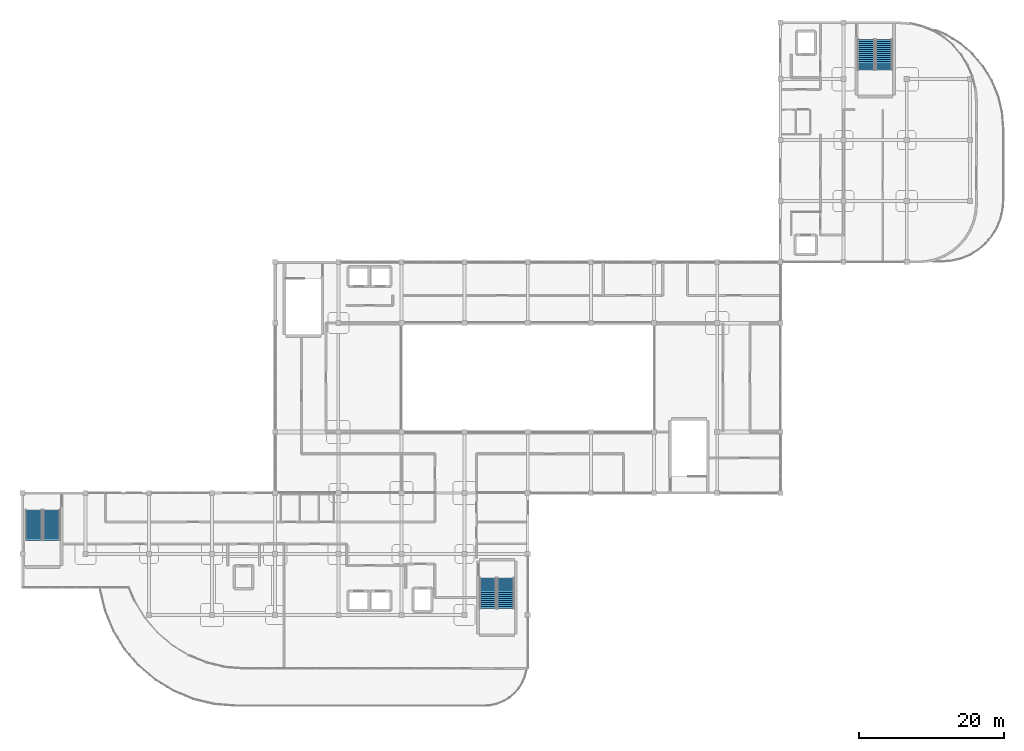
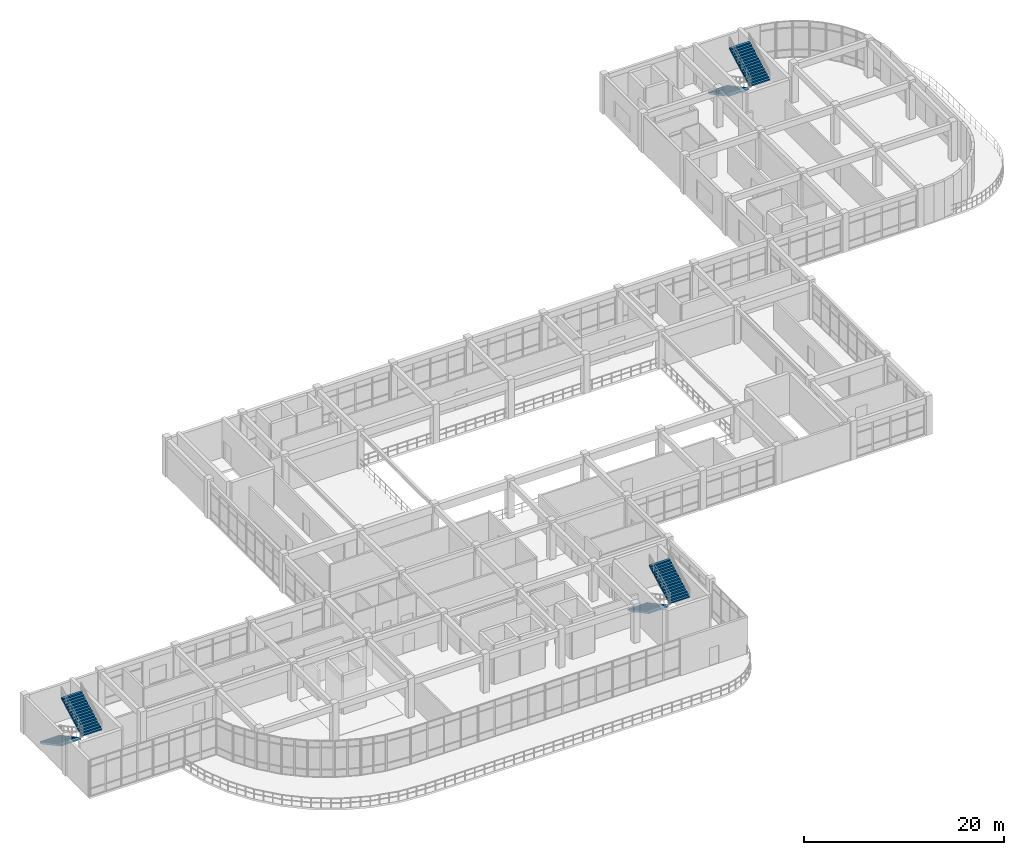
# One storey, part 59 of 64: 6 stair flights, 3 elements without a shape of their own.
"""IFC4 building model written with IfcOpenShell, lengths in metres."""

from ifc_helpers import new_model, si_unit, derived_unit, direction, frame, origin, place, context, subcontext, project, spatial, polyline, outline, extrude, material, type_object, element, aggregate, save


model = new_model("IFC4")

# Units and contexts
model_context = context("Model", 3, precision=1e-05, world=origin(), true_north=direction((0.0, 1.0)))
body_context = subcontext(model_context, "Body", "Model", "MODEL_VIEW")
ifc_project = project(units=[si_unit("LENGTHUNIT", "METRE"), si_unit("AREAUNIT", "SQUARE_METRE"), si_unit("VOLUMEUNIT", "CUBIC_METRE"), si_unit("PLANEANGLEUNIT", "RADIAN"), si_unit("MASSUNIT", "GRAM", prefix="KILO"), derived_unit("THERMALTRANSMITTANCEUNIT", [(si_unit("MASSUNIT", "GRAM", prefix="KILO"), 1), (si_unit("TIMEUNIT", "SECOND"), -3), (si_unit("THERMODYNAMICTEMPERATUREUNIT", "KELVIN"), -1)])], contexts=[model_context])

# Site, building, storey
site_placement = place(None, origin())
site = spatial("IfcSite", under=ifc_project, at=site_placement, CompositionType="ELEMENT")
building_placement = place(site_placement, origin())
building = spatial("IfcBuilding", under=site, at=building_placement, Name="Qinzheling Arcade Emporium", CompositionType="ELEMENT")
storey_placement = place(building_placement, frame((0.0, 0.0, 31.5)))
storey = spatial("IfcBuildingStorey", under=building, at=storey_placement, Name="L07", CompositionType="ELEMENT", Elevation=31.5)

# Stair, stair flights
ifc_material = material(Name="Concrete C40", Category="concrete")
stair_type = type_object("IfcStairType", Name="Cast-in-Situ Dog-Leg Escape Stair H4800", PredefinedType="HALF_TURN_STAIR", material=ifc_material)
stair_1_placement = place(storey_placement, origin())
stair_1 = element("IfcStair", 1, at=stair_1_placement, inside=storey, type_object=stair_type, Name="L07 ST01", PredefinedType="HALF_TURN_STAIR")
stair_flight_type = type_object("IfcStairFlightType", Name="Cast-in-Situ Straight Stair Flight 150x280 H4800", PredefinedType="STRAIGHT", material=ifc_material)
stair_flight_1_placement = place(storey_placement, frame((64.110107421875, 30.280029296875, 0.0), z_axis=(0.0, 0.0, 1.0), x_axis=(0.0, -1.0, 0.0)))
stair_flight_1 = element("IfcStairFlight", 2, at=stair_flight_1_placement, type_object=stair_flight_type, Name="ST01 flight 1", NumberOfRisers=16, NumberOfTreads=15, PredefinedType="STRAIGHT", RiserHeight=0.15, TreadLength=0.28, context=body_context, shape_type="SweptSolid", body=[
    extrude(outline(polyline([(0.0, 0.0), (0.0, 0.14990234375), (0.280029296875, 0.14990234375), (0.280029296875, 0.300048828125), (0.56005859375, 0.300048828125), (0.56005859375, 0.449951171875), (0.840087890625, 0.449951171875), (0.840087890625, 0.60009765625), (1.1201171875, 0.60009765625), (1.1201171875, 0.75), (1.39990234375, 0.75), (1.39990234375, 0.89990234375), (1.679931640625, 0.89990234375), (1.679931640625, 1.050048828125), (1.9599609375, 1.050048828125), (1.9599609375, 1.199951171875), (2.239990234375, 1.199951171875), (2.239990234375, 1.35009765625), (2.52001953125, 1.35009765625), (2.52001953125, 1.5), (2.800048828125, 1.5), (2.800048828125, 1.64990234375), (3.080078125, 1.64990234375), (3.080078125, 1.800048828125), (3.360107421875, 1.800048828125), (3.360107421875, 1.949951171875), (3.639892578125, 1.949951171875), (3.639892578125, 2.10009765625), (3.919921875, 2.10009765625), (3.919921875, 2.25), (4.199951171875, 2.25), (4.199951171875, 2.39990234375), (4.199951171875, 2.068603515625), (0.338623046875, 0.0), (0.0, 0.0)])), frame((0.0, 1.16015625, 0.0), z_axis=(0.0, -1.0, 0.0), x_axis=(1.0, 0.0, 0.0)), (0.0, 0.0, 1.0), 2.320068359375),
])
stair_flight_2_placement = place(storey_placement, frame((66.580078125, 26.080078125, 2.39990234375), z_axis=(0.0, 0.0, 1.0), x_axis=(0.0, 1.0, 0.0)))
stair_flight_2 = element("IfcStairFlight", 3, at=stair_flight_2_placement, type_object=stair_flight_type, Name="ST01 flight 2", NumberOfRisers=16, NumberOfTreads=15, PredefinedType="STRAIGHT", RiserHeight=0.15, TreadLength=0.28, context=body_context, shape_type="SweptSolid", body=[
    extrude(outline(polyline([(0.0, 0.0), (0.0, 0.14990234375), (0.280029296875, 0.14990234375), (0.280029296875, 0.300048828125), (0.56005859375, 0.300048828125), (0.56005859375, 0.449951171875), (0.840087890625, 0.449951171875), (0.840087890625, 0.60009765625), (1.1201171875, 0.60009765625), (1.1201171875, 0.75), (1.39990234375, 0.75), (1.39990234375, 0.89990234375), (1.679931640625, 0.89990234375), (1.679931640625, 1.050048828125), (1.9599609375, 1.050048828125), (1.9599609375, 1.199951171875), (2.239990234375, 1.199951171875), (2.239990234375, 1.35009765625), (2.52001953125, 1.35009765625), (2.52001953125, 1.5), (2.800048828125, 1.5), (2.800048828125, 1.64990234375), (3.080078125, 1.64990234375), (3.080078125, 1.800048828125), (3.360107421875, 1.800048828125), (3.360107421875, 1.949951171875), (3.639892578125, 1.949951171875), (3.639892578125, 2.10009765625), (3.919921875, 2.10009765625), (3.919921875, 2.25), (4.199951171875, 2.25), (4.199951171875, 2.39990234375), (4.199951171875, 2.068603515625), (0.338623046875, 0.0), (0.0, 0.0)])), frame((0.0, 1.16015625, 0.0), z_axis=(0.0, -1.0, 0.0), x_axis=(1.0, 0.0, 0.0)), (0.0, 0.0, 1.0), 2.320068359375),
])
aggregate(stair_1, [stair_flight_1, stair_flight_2])

stair_2_placement = place(storey_placement, origin())
stair_2 = element("IfcStair", 4, at=stair_2_placement, inside=storey, type_object=stair_type, Name="L07 ST02", PredefinedType="HALF_TURN_STAIR")
stair_flight_3_placement = place(storey_placement, frame((1.56005859375, 39.679931640625, 0.0), z_axis=(0.0, 0.0, 1.0), x_axis=(0.0, -1.0, 0.0)))
stair_flight_3 = element("IfcStairFlight", 5, at=stair_flight_3_placement, type_object=stair_flight_type, Name="ST02 flight 1", NumberOfRisers=16, NumberOfTreads=15, PredefinedType="STRAIGHT", RiserHeight=0.15, TreadLength=0.28, context=body_context, shape_type="SweptSolid", body=[
    extrude(outline(polyline([(0.0, 0.0), (0.0, 0.14990234375), (0.280029296875, 0.14990234375), (0.280029296875, 0.300048828125), (0.56005859375, 0.300048828125), (0.56005859375, 0.449951171875), (0.840087890625, 0.449951171875), (0.840087890625, 0.60009765625), (1.1201171875, 0.60009765625), (1.1201171875, 0.75), (1.39990234375, 0.75), (1.39990234375, 0.89990234375), (1.679931640625, 0.89990234375), (1.679931640625, 1.050048828125), (1.9599609375, 1.050048828125), (1.9599609375, 1.199951171875), (2.239990234375, 1.199951171875), (2.239990234375, 1.35009765625), (2.52001953125, 1.35009765625), (2.52001953125, 1.5), (2.800048828125, 1.5), (2.800048828125, 1.64990234375), (3.080078125, 1.64990234375), (3.080078125, 1.800048828125), (3.360107421875, 1.800048828125), (3.360107421875, 1.949951171875), (3.639892578125, 1.949951171875), (3.639892578125, 2.10009765625), (3.919921875, 2.10009765625), (3.919921875, 2.25), (4.199951171875, 2.25), (4.199951171875, 2.39990234375), (4.199951171875, 2.068603515625), (0.338623046875, 0.0), (0.0, 0.0)])), frame((0.0, 1.16015625, 0.0), z_axis=(0.0, -1.0, 0.0), x_axis=(1.0, 0.0, 0.0)), (0.0, 0.0, 1.0), 2.320068359375),
])
stair_flight_4_placement = place(storey_placement, frame((4.030029296875, 35.47998046875, 2.39990234375), z_axis=(0.0, 0.0, 1.0), x_axis=(0.0, 1.0, 0.0)))
stair_flight_4 = element("IfcStairFlight", 6, at=stair_flight_4_placement, type_object=stair_flight_type, Name="ST02 flight 2", NumberOfRisers=16, NumberOfTreads=15, PredefinedType="STRAIGHT", RiserHeight=0.15, TreadLength=0.28, context=body_context, shape_type="SweptSolid", body=[
    extrude(outline(polyline([(0.0, 0.0), (0.0, 0.14990234375), (0.280029296875, 0.14990234375), (0.280029296875, 0.300048828125), (0.56005859375, 0.300048828125), (0.56005859375, 0.449951171875), (0.840087890625, 0.449951171875), (0.840087890625, 0.60009765625), (1.1201171875, 0.60009765625), (1.1201171875, 0.75), (1.39990234375, 0.75), (1.39990234375, 0.89990234375), (1.679931640625, 0.89990234375), (1.679931640625, 1.050048828125), (1.9599609375, 1.050048828125), (1.9599609375, 1.199951171875), (2.239990234375, 1.199951171875), (2.239990234375, 1.35009765625), (2.52001953125, 1.35009765625), (2.52001953125, 1.5), (2.800048828125, 1.5), (2.800048828125, 1.64990234375), (3.080078125, 1.64990234375), (3.080078125, 1.800048828125), (3.360107421875, 1.800048828125), (3.360107421875, 1.949951171875), (3.639892578125, 1.949951171875), (3.639892578125, 2.10009765625), (3.919921875, 2.10009765625), (3.919921875, 2.25), (4.199951171875, 2.25), (4.199951171875, 2.39990234375), (4.199951171875, 2.068603515625), (0.338623046875, 0.0), (0.0, 0.0)])), frame((0.0, 1.16015625, 0.0), z_axis=(0.0, -1.0, 0.0), x_axis=(1.0, 0.0, 0.0)), (0.0, 0.0, 1.0), 2.320068359375),
])
aggregate(stair_2, [stair_flight_3, stair_flight_4])

stair_3_placement = place(storey_placement, origin())
stair_3 = element("IfcStair", 7, at=stair_3_placement, inside=storey, type_object=stair_type, Name="L07 ST08", PredefinedType="HALF_TURN_STAIR")
stair_flight_5_placement = place(storey_placement, frame((116.215087890625, 104.47998046875, 0.0), z_axis=(0.0, 0.0, 1.0), x_axis=(0.0, -1.0, 0.0)))
stair_flight_5 = element("IfcStairFlight", 8, at=stair_flight_5_placement, type_object=stair_flight_type, Name="ST08 flight 1", NumberOfRisers=16, NumberOfTreads=15, PredefinedType="STRAIGHT", RiserHeight=0.15, TreadLength=0.28, context=body_context, shape_type="SweptSolid", body=[
    extrude(outline(polyline([(0.0, 0.0), (0.0, 0.14990234375), (0.280029296875, 0.14990234375), (0.280029296875, 0.300048828125), (0.56005859375, 0.300048828125), (0.56005859375, 0.449951171875), (0.840087890625, 0.449951171875), (0.840087890625, 0.60009765625), (1.1201171875, 0.60009765625), (1.1201171875, 0.75), (1.39990234375, 0.75), (1.39990234375, 0.89990234375), (1.679931640625, 0.89990234375), (1.679931640625, 1.050048828125), (1.9599609375, 1.050048828125), (1.9599609375, 1.199951171875), (2.239990234375, 1.199951171875), (2.239990234375, 1.35009765625), (2.52001953125, 1.35009765625), (2.52001953125, 1.5), (2.800048828125, 1.5), (2.800048828125, 1.64990234375), (3.080078125, 1.64990234375), (3.080078125, 1.800048828125), (3.360107421875, 1.800048828125), (3.360107421875, 1.949951171875), (3.639892578125, 1.949951171875), (3.639892578125, 2.10009765625), (3.919921875, 2.10009765625), (3.919921875, 2.25), (4.199951171875, 2.25), (4.199951171875, 2.39990234375), (4.199951171875, 2.068603515625), (0.338623046875, 0.0), (0.0, 0.0)])), frame((0.0, 1.16015625, 0.0), z_axis=(0.0, -1.0, 0.0), x_axis=(1.0, 0.0, 0.0)), (0.0, 0.0, 1.0), 2.320068359375),
])
stair_flight_6_placement = place(storey_placement, frame((118.68505859375, 100.280029296875, 2.39990234375), z_axis=(0.0, 0.0, 1.0), x_axis=(0.0, 1.0, 0.0)))
stair_flight_6 = element("IfcStairFlight", 9, at=stair_flight_6_placement, type_object=stair_flight_type, Name="ST08 flight 2", NumberOfRisers=16, NumberOfTreads=15, PredefinedType="STRAIGHT", RiserHeight=0.15, TreadLength=0.28, context=body_context, shape_type="SweptSolid", body=[
    extrude(outline(polyline([(0.0, 0.0), (0.0, 0.14990234375), (0.280029296875, 0.14990234375), (0.280029296875, 0.300048828125), (0.56005859375, 0.300048828125), (0.56005859375, 0.449951171875), (0.840087890625, 0.449951171875), (0.840087890625, 0.60009765625), (1.1201171875, 0.60009765625), (1.1201171875, 0.75), (1.39990234375, 0.75), (1.39990234375, 0.89990234375), (1.679931640625, 0.89990234375), (1.679931640625, 1.050048828125), (1.9599609375, 1.050048828125), (1.9599609375, 1.199951171875), (2.239990234375, 1.199951171875), (2.239990234375, 1.35009765625), (2.52001953125, 1.35009765625), (2.52001953125, 1.5), (2.800048828125, 1.5), (2.800048828125, 1.64990234375), (3.080078125, 1.64990234375), (3.080078125, 1.800048828125), (3.360107421875, 1.800048828125), (3.360107421875, 1.949951171875), (3.639892578125, 1.949951171875), (3.639892578125, 2.10009765625), (3.919921875, 2.10009765625), (3.919921875, 2.25), (4.199951171875, 2.25), (4.199951171875, 2.39990234375), (4.199951171875, 2.068603515625), (0.338623046875, 0.0), (0.0, 0.0)])), frame((0.0, 1.16015625, 0.0), z_axis=(0.0, -1.0, 0.0), x_axis=(1.0, 0.0, 0.0)), (0.0, 0.0, 1.0), 2.320068359375),
])
aggregate(stair_3, [stair_flight_5, stair_flight_6])

save(model, "model.ifc")
